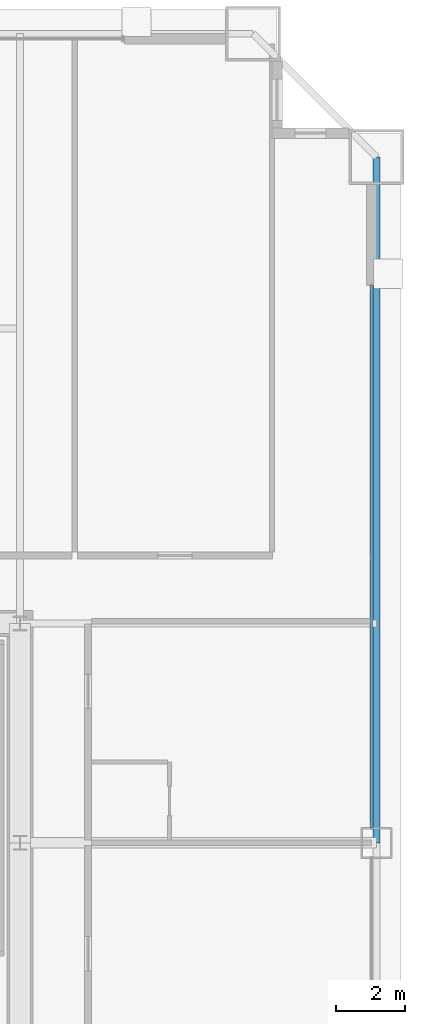
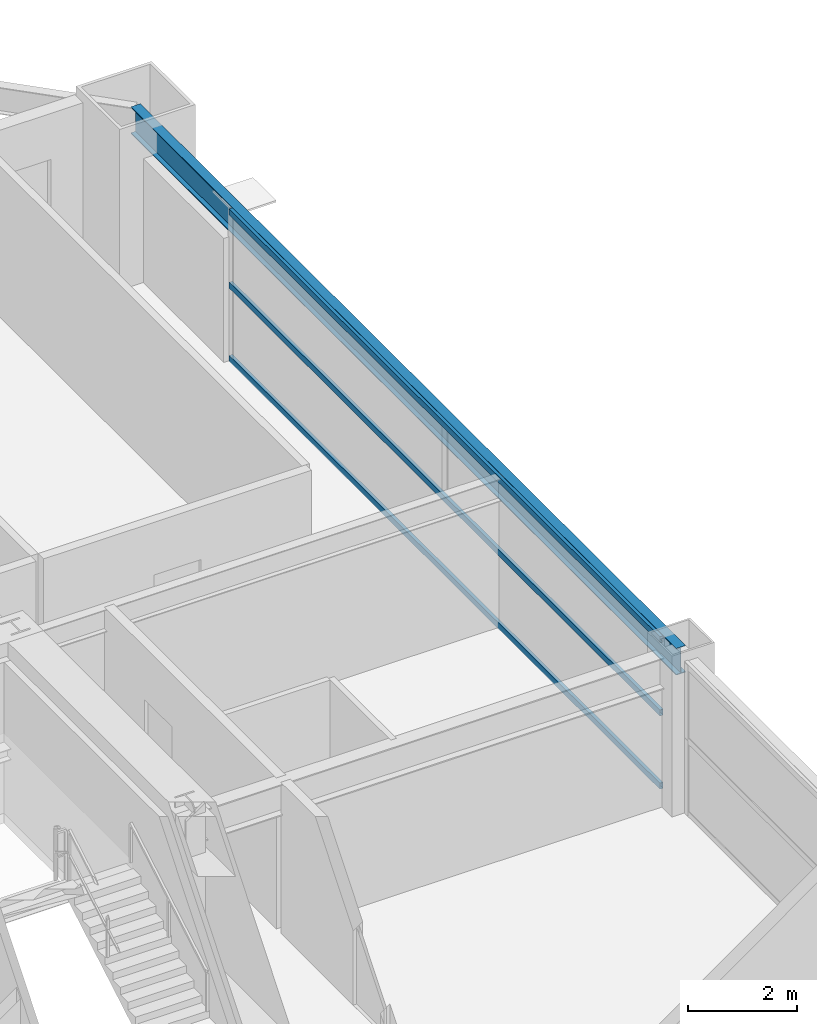
# One storey, part 29 of 38: 3 members, 1 beam, 1 element without a shape of its own.
"""IFC4 building model written with IfcOpenShell, lengths in metres."""

from ifc_helpers import new_model, si_unit, direction, frame, origin, origin_2d, place, context, subcontext, project, spatial, hollow_rectangle, i_section, extrude, source, transform, mapped, material, layer, layer_set, material_profile, profile_set, type_object, element, aggregate, save


model = new_model("IFC4")

# Units and contexts
model_context = context("Model", 3, precision=1e-05, world=origin(), true_north=direction((0.0, 1.0)))
body_context = subcontext(model_context, "Body", "Model", "MODEL_VIEW")
ifc_project = project(units=[si_unit("LENGTHUNIT", "METRE"), si_unit("AREAUNIT", "SQUARE_METRE"), si_unit("VOLUMEUNIT", "CUBIC_METRE"), si_unit("PLANEANGLEUNIT", "RADIAN"), si_unit("MASSUNIT", "GRAM", prefix="KILO"), si_unit("THERMODYNAMICTEMPERATUREUNIT", "KELVIN"), si_unit("POWERUNIT", "WATT")], contexts=[model_context])

# Site, building, storey
site_placement = place(None, origin())
site = spatial("IfcSite", under=ifc_project, at=site_placement, CompositionType="ELEMENT")
building_placement = place(site_placement, origin())
building = spatial("IfcBuilding", under=site, at=building_placement, Name="Yuzanri Waterfront Tower", CompositionType="ELEMENT")
storey_placement = place(building_placement, frame((0.0, 0.0, 97.39990234375)))
storey = spatial("IfcBuildingStorey", under=building, at=storey_placement, Name="L25", CompositionType="ELEMENT", Elevation=97.39990234375)

# Beam
ifc_material_1 = material(Name="Steel Q355B", Category="steel")
ifc_material_profile_1 = material_profile(ifc_material_1, i_section(OverallWidth=0.199951171875, OverallDepth=0.60009765625, WebThickness=0.010986328125, FlangeThickness=0.01708984375, at=origin_2d()), Name="HN 600x200x11x17")
ifc_profile_set_1 = profile_set([ifc_material_profile_1], Name="Steel Q355B")
beam_type = type_object("IfcBeamType", Name="Perimeter Spandrel Q355B HN 600x200", PredefinedType="SPANDREL", material=ifc_profile_set_1)
shared_shape_1 = source(origin(), body_context, "Body", "SweptSolid", [
    extrude(i_section(OverallWidth=0.199951171875, OverallDepth=0.60009765625, WebThickness=0.010986328125, FlangeThickness=0.01708984375, at=origin_2d()), origin(), (0.0, 0.0, 1.0), 20.0),
])
beam_placement = place(storey_placement, frame((60.60009765625, 25.800048828125, 3.080078125), z_axis=(0.0, 1.0, 0.0), x_axis=(-1.0, 0.0, 0.0)))
element("IfcBeam", 1, at=beam_placement, inside=storey, type_object=beam_type, Name="L25 Perimeter Spandrel E2-E3", PredefinedType="SPANDREL", context=body_context, shape_type="MappedRepresentation", body=[
    mapped(shared_shape_1, transform((0.0, 0.0, 0.0), scale=1.0)),
])

# Curtain wall, members
ifc_material_2 = material(Name="Anodized Architectural Bronze", Category="metal")
ifc_layer = layer(ifc_material_2, 0.159912109375)
ifc_layer_set = layer_set([ifc_layer], Name="Anodized Architectural Bronze")
curtain_wall_type = type_object("IfcCurtainWallType", Name="Anodized Bronze Hotel Upper-Tier Solar-Control Unitized Curtain Wall 7800", PredefinedType="NOTDEFINED", material=ifc_layer_set)
curtain_wall_placement = place(storey_placement, origin())
curtain_wall = element("IfcCurtainWall", 2, at=curtain_wall_placement, inside=storey, type_object=curtain_wall_type, Name="L25 Curtain Wall CW-L25-ER", PredefinedType="NOTDEFINED")
ifc_material_3 = material(Name="Anodized Architectural Bronze", Category="metal")
ifc_material_profile_2 = material_profile(ifc_material_3, hollow_rectangle(XDim=0.070068359375, YDim=0.135009765625, WallThickness=0.00341796875, at=origin_2d()), Name="CWT 70x135")
ifc_profile_set_2 = profile_set([ifc_material_profile_2], Name="Anodized Architectural Bronze")
member_type = type_object("IfcMemberType", Name="Anodized Bronze Standard Curtain-Wall Transom 70x135", PredefinedType="USERDEFINED", material=ifc_profile_set_2)
shared_shape_2 = source(origin(), body_context, "Body", "SweptSolid", [
    extrude(hollow_rectangle(XDim=0.070068359375, YDim=0.135009765625, WallThickness=0.00341796875, at=origin_2d()), origin(), (0.0, 0.0, 1.0), 15.800048828125),
])
member_1_placement = place(storey_placement, frame((60.449951171875, 26.25, 0.050048828125), z_axis=(0.0, 1.0, 0.0), x_axis=(-1.0, 0.0, 0.0)))
member_1 = element("IfcMember", 3, at=member_1_placement, type_object=member_type, Name="CW-L25-ER Transom 1", ObjectType="TRANSOM", PredefinedType="USERDEFINED", context=body_context, shape_type="MappedRepresentation", body=[
    mapped(shared_shape_2, transform((0.0, 0.0, 0.0), scale=1.0)),
])
member_2_placement = place(storey_placement, frame((60.449951171875, 26.25, 1.690185546875), z_axis=(0.0, 1.0, 0.0), x_axis=(-1.0, 0.0, 0.0)))
member_2 = element("IfcMember", 4, at=member_2_placement, type_object=member_type, Name="CW-L25-ER Transom 2", ObjectType="TRANSOM", PredefinedType="USERDEFINED", context=body_context, shape_type="MappedRepresentation", body=[
    mapped(shared_shape_2, transform((0.0, 0.0, 0.0), scale=1.0)),
])
member_3_placement = place(storey_placement, frame((60.449951171875, 26.25, 3.330078125), z_axis=(0.0, 1.0, 0.0), x_axis=(-1.0, 0.0, 0.0)))
member_3 = element("IfcMember", 5, at=member_3_placement, type_object=member_type, Name="CW-L25-ER Transom 3", ObjectType="TRANSOM", PredefinedType="USERDEFINED", context=body_context, shape_type="MappedRepresentation", body=[
    mapped(shared_shape_2, transform((0.0, 0.0, 0.0), scale=1.0)),
])
aggregate(curtain_wall, [member_1, member_2, member_3])

save(model, "model.ifc")
